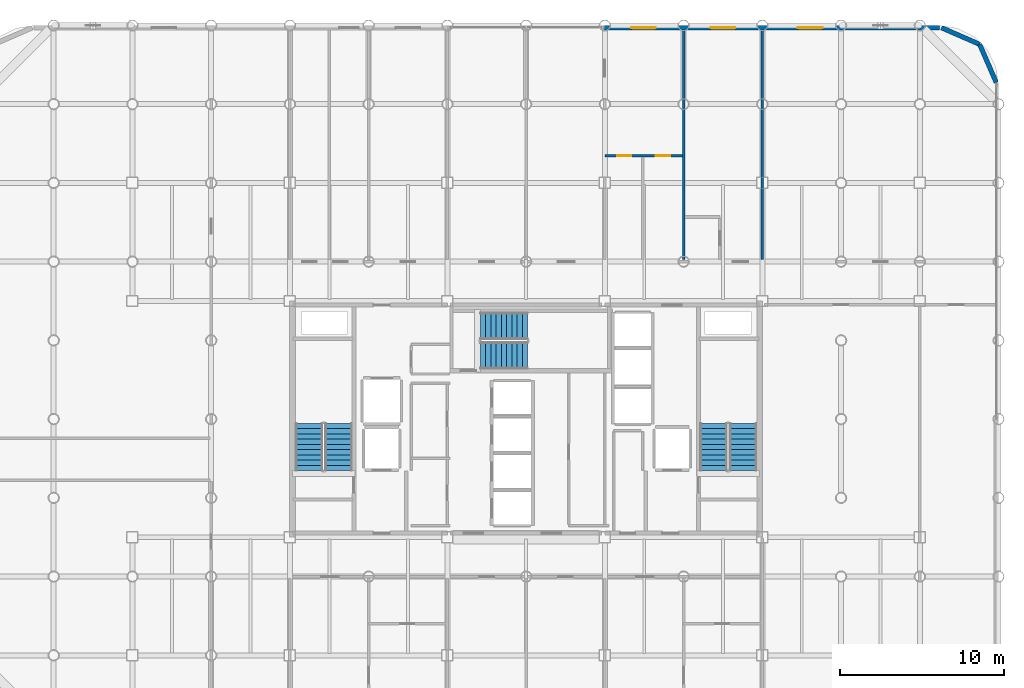
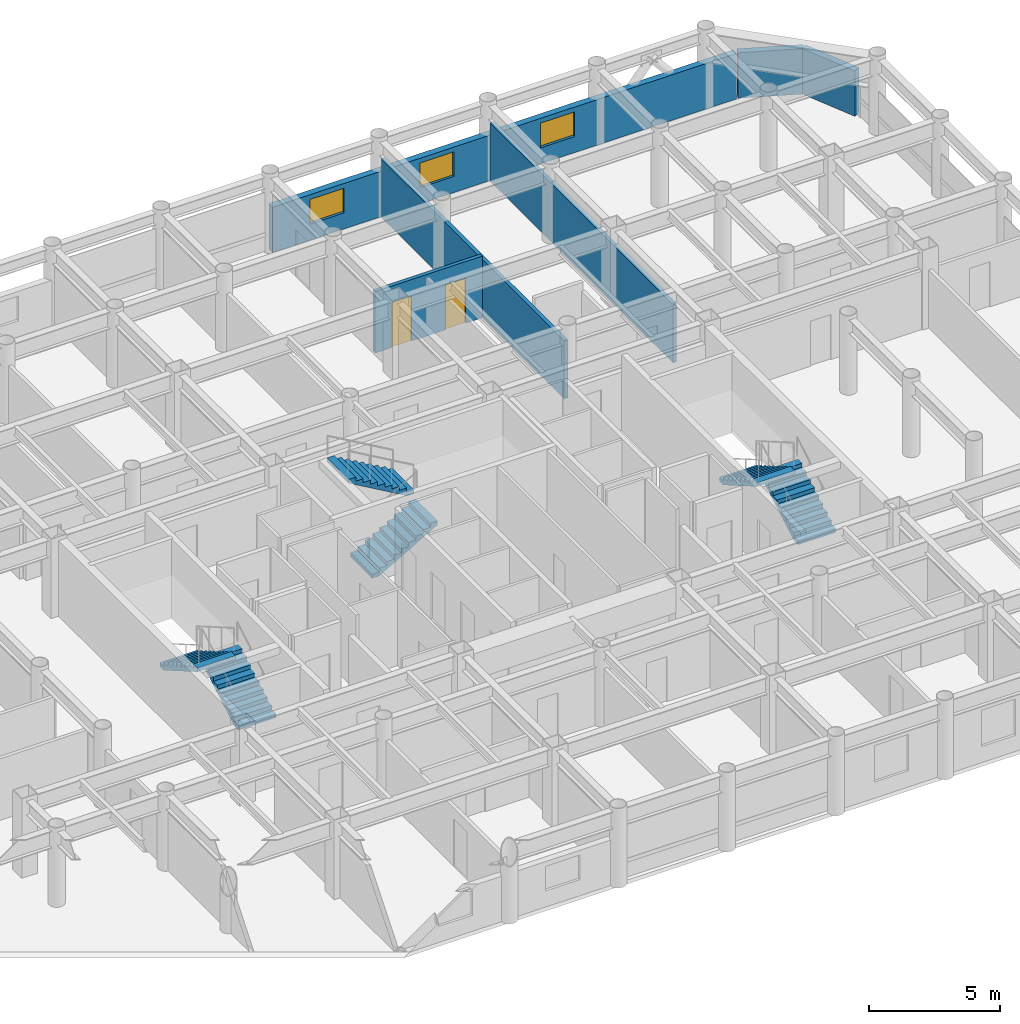
# One storey, part 19 of 20: 6 stair flights, 6 walls, 3 windows, 2 doors, 5 openings, 3 elements without a shape of their own.
"""IFC4 building model written with IfcOpenShell, lengths in metres."""

from ifc_helpers import new_model, si_unit, direction, frame, frame_2d, origin, place, context, subcontext, project, spatial, polyline, rectangle, outline, extrude, material, layer, layer_set, type_object, element, fill, aggregate, save


model = new_model("IFC4")

# Units and contexts
model_context = context("Model", 3, precision=1e-05, world=origin(), true_north=direction((0.0, 1.0)))
body_context = subcontext(model_context, "Body", "Model", "MODEL_VIEW")
ifc_project = project(units=[si_unit("LENGTHUNIT", "METRE"), si_unit("AREAUNIT", "SQUARE_METRE"), si_unit("VOLUMEUNIT", "CUBIC_METRE"), si_unit("PLANEANGLEUNIT", "RADIAN"), si_unit("MASSUNIT", "GRAM", prefix="KILO")], contexts=[model_context])

# Site, building, storey
site_placement = place(None, origin())
site = spatial("IfcSite", under=ifc_project, at=site_placement, CompositionType="ELEMENT")
building_placement = place(site_placement, origin())
building = spatial("IfcBuilding", under=site, at=building_placement, Name="Kallvorn Hotel Tower", CompositionType="ELEMENT")
storey_placement = place(building_placement, frame((0.0, 0.0, 143.300048828125)))
storey = spatial("IfcBuildingStorey", under=building, at=storey_placement, Name="L35", CompositionType="ELEMENT", Elevation=143.300048828125)

# Wall, openings, doors
ifc_material_1 = material(Name="Fire-rated double-layer acoustic gypsum drywall EI 60")
ifc_layer_1 = layer(ifc_material_1, 0.159912109375)
ifc_layer_set_1 = layer_set([ifc_layer_1], Name="WL_DEMISE_160")
wall_type_1 = type_object("IfcWallType", Name="WL_DEMISE_160", PredefinedType="PARTITIONING", material=ifc_layer_set_1)
wall_1_placement = place(storey_placement, frame((4.800048828125, 16.050048828125, 0.0), z_axis=(0.0, 0.0, 1.0), x_axis=(1.0, 0.0, 0.0)))
wall_1 = element("IfcWall", 1, at=wall_1_placement, inside=storey, type_object=wall_type_1, Name="L35 Suite 3503 Junior Bedroom Partition", PredefinedType="PARTITIONING", context=body_context, shape_type="SweptSolid", body=[
    extrude(rectangle(XDim=4.719970703125, YDim=0.159912109375, at=frame_2d((2.35986328125, 0.0))), origin(), (0.0, 0.0, 1.0), 2.869873046875),
])
opening_1_placement = place(wall_1_placement, frame((0.75, 0.0, 0.0)))
opening_1 = element("IfcOpeningElement", 2, at=opening_1_placement, cuts=wall_1, Name="Opening BD-I", PredefinedType="OPENING", context=body_context, shape_type="SweptSolid", body=[
    extrude(rectangle(XDim=0.860107421875, YDim=2.10009765625, at=frame_2d((0.43017578125, 1.050048828125))), frame((0.0, 0.094970703125, 0.0), z_axis=(0.0, -1.0, 0.0), x_axis=(1.0, 0.0, 0.0)), (0.0, 0.0, 1.0), 0.18994140625),
])
opening_2_placement = place(wall_1_placement, frame((3.090087890625, 0.0, 0.0)))
opening_2 = element("IfcOpeningElement", 3, at=opening_2_placement, cuts=wall_1, Name="Opening SVD1", PredefinedType="OPENING", context=body_context, shape_type="SweptSolid", body=[
    extrude(rectangle(XDim=0.89990234375, YDim=2.10009765625, at=frame_2d((0.449951171875, 1.050048828125))), frame((0.0, 0.094970703125, 0.0), z_axis=(0.0, -1.0, 0.0), x_axis=(1.0, 0.0, 0.0)), (0.0, 0.0, 1.0), 0.18994140625),
])
ifc_material_2 = material(Name="Solid-core walnut veneer fire-rated timber door leaf", Category="wood")
door_type_1 = type_object("IfcDoorType", Name="DR_BATH_860x2100", OperationType="NOTDEFINED", PredefinedType="DOOR", material=ifc_material_2)
door_1_placement = place(opening_1_placement, origin())
door_1 = element("IfcDoor", 4, at=door_1_placement, inside=storey, type_object=door_type_1, Name="L35 Suite 3503 En-Suite Bathroom Door", OperationType="SINGLE_SWING_LEFT", OverallHeight=2.10009765625, OverallWidth=0.860107421875, PredefinedType="DOOR", context=body_context, shape_type="SweptSolid", body=[
    extrude(rectangle(XDim=0.860107421875, YDim=2.10009765625, at=frame_2d((0.43017578125, 1.050048828125))), frame((0.0, 0.02490234375, 0.0), z_axis=(0.0, -1.0, 0.0), x_axis=(1.0, 0.0, 0.0)), (0.0, 0.0, 1.0), 0.050048828125),
])
fill(opening_1, door_1)
ifc_material_3 = material(Name="Galvanised painted steel fire-rated door assembly", Category="steel")
door_type_2 = type_object("IfcDoorType", Name="DR_SERV_900x2100", OperationType="NOTDEFINED", PredefinedType="DOOR", material=ifc_material_3)
door_2_placement = place(opening_2_placement, origin())
door_2 = element("IfcDoor", 5, at=door_2_placement, inside=storey, type_object=door_type_2, Name="L35 Suite 3503 Walk-In Dressing Closet Door", OperationType="SINGLE_SWING_RIGHT", OverallHeight=2.10009765625, OverallWidth=0.89990234375, PredefinedType="DOOR", context=body_context, shape_type="SweptSolid", body=[
    extrude(rectangle(XDim=0.89990234375, YDim=2.10009765625, at=frame_2d((0.449951171875, 1.050048828125))), frame((0.0, 0.02490234375, 0.0), z_axis=(0.0, -1.0, 0.0), x_axis=(1.0, 0.0, 0.0)), (0.0, 0.0, 1.0), 0.050048828125),
])
fill(opening_2, door_2)

# Walls
for number, where, z_axis, x_axis, name in (
    (6, (9.60009765625, 9.719970703125, 0.0), (0.0, 0.0, 1.0), (0.0, 1.0, 0.0), "L35 Suite 3504 Standard Twin Room Partition"),
    (7, (14.39990234375, 9.719970703125, 0.0), (0.0, 0.0, 1.0), (0.0, 1.0, 0.0), "L35 Suite 3504 Standard Twin Room Partition"),
):
    element("IfcWall", number, at=place(storey_placement, frame(where, z_axis=z_axis, x_axis=x_axis)), inside=storey, type_object=wall_type_1, Name=name, PredefinedType="PARTITIONING", context=body_context, shape_type="SweptSolid", body=[
        extrude(rectangle(XDim=13.989990234375, YDim=0.159912109375, at=frame_2d((6.9951171875, 0.0))), origin(), (0.0, 0.0, 1.0), 2.719970703125),
    ])
ifc_material_4 = material(Name="Precast basalt-clad insulated concrete wall C40/50", Category="masonry")
ifc_layer_2 = layer(ifc_material_4, 0.280029296875)
ifc_layer_set_2 = layer_set([ifc_layer_2], Name="WL_EXT_LOGGIA_280")
wall_type_2 = type_object("IfcWallType", Name="WL_EXT_LOGGIA_280", PredefinedType="SOLIDWALL", material=ifc_layer_set_2)
wall_2_placement = place(storey_placement, frame((28.657958984375, 20.520751953125, 0.0), z_axis=(0.0, 0.0, 1.0), x_axis=(-0.398792985289, 0.917040977756, 0.0)))
element("IfcWall", 8, at=wall_2_placement, inside=storey, type_object=wall_type_2, Name="L35 Rounded Corner Exterior Wall NE1", PredefinedType="SOLIDWALL", context=body_context, shape_type="SweptSolid", body=[
    extrude(rectangle(XDim=2.536376953125, YDim=0.280029296875, at=frame_2d((1.26806640625, 0.0))), origin(), (0.0, 0.0, 1.0), 2.119873046875),
])
wall_3_placement = place(storey_placement, frame((27.646484375, 22.8466796875, 0.0), z_axis=(0.0, 0.0, 1.0), x_axis=(-0.917060872934, 0.398747232384, 0.0)))
element("IfcWall", 9, at=wall_3_placement, inside=storey, type_object=wall_type_2, Name="L35 Rounded Corner Exterior Wall NE2", PredefinedType="SOLIDWALL", context=body_context, shape_type="SweptSolid", body=[
    extrude(rectangle(XDim=2.5361328125, YDim=0.280029296875, at=frame_2d((1.26806640625, 0.0))), origin(), (0.0, 0.0, 1.0), 2.119873046875),
])

# Wall, openings, windows
wall_4_placement = place(storey_placement, frame((4.75, 23.860107421875, 0.0), z_axis=(0.0, 0.0, 1.0), x_axis=(1.0, 0.0, 0.0)))
wall_4 = element("IfcWall", 10, at=wall_4_placement, inside=storey, type_object=wall_type_2, Name="L35 Exterior Envelope Wall EW-L35-NE", PredefinedType="SOLIDWALL", context=body_context, shape_type="SweptSolid", body=[
    extrude(rectangle(XDim=20.449951171875, YDim=0.280029296875, at=frame_2d((10.22509765625, 0.0))), origin(), (0.0, 0.0, 1.0), 2.119873046875),
])
opening_3_placement = place(wall_4_placement, frame((11.81689453125, 0.0, 0.75)))
opening_3 = element("IfcOpeningElement", 11, at=opening_3_placement, cuts=wall_4, Name="Opening W05A", PredefinedType="OPENING", context=body_context, shape_type="SweptSolid", body=[
    extrude(rectangle(XDim=1.5, YDim=1.14990234375, at=frame_2d((0.75, 0.574951171875))), frame((0.0, 0.155029296875, 0.0), z_axis=(0.0, -1.0, 0.0), x_axis=(1.0, 0.0, 0.0)), (0.0, 0.0, 1.0), 0.31005859375),
])
opening_4_placement = place(wall_4_placement, frame((1.659912109375, 0.0, 0.75)))
opening_4 = element("IfcOpeningElement", 12, at=opening_4_placement, cuts=wall_4, Name="Opening W05A", PredefinedType="OPENING", context=body_context, shape_type="SweptSolid", body=[
    extrude(rectangle(XDim=1.5, YDim=1.14990234375, at=frame_2d((0.75, 0.574951171875))), frame((0.0, 0.155029296875, 0.0), z_axis=(0.0, -1.0, 0.0), x_axis=(1.0, 0.0, 0.0)), (0.0, 0.0, 1.0), 0.31005859375),
])
opening_5_placement = place(wall_4_placement, frame((6.5, 0.0, 0.75)))
opening_5 = element("IfcOpeningElement", 13, at=opening_5_placement, cuts=wall_4, Name="Opening W05A", PredefinedType="OPENING", context=body_context, shape_type="SweptSolid", body=[
    extrude(rectangle(XDim=1.5, YDim=1.14990234375, at=frame_2d((0.75, 0.574951171875))), frame((0.0, 0.155029296875, 0.0), z_axis=(0.0, -1.0, 0.0), x_axis=(1.0, 0.0, 0.0)), (0.0, 0.0, 1.0), 0.31005859375),
])
ifc_material_5 = material(Name="Double-glazed low-e solar-control dark glass", Category="glass")
window_type = type_object("IfcWindowType", Name="WN_HTL_1500x1150", PartitioningType="SINGLE_PANEL", PredefinedType="WINDOW", material=ifc_material_5)
window_1_placement = place(opening_3_placement, origin())
window_1 = element("IfcWindow", 14, at=window_1_placement, inside=storey, type_object=window_type, Name="L35 Guestroom Exterior Window 03", OverallHeight=1.14990234375, OverallWidth=1.5, PartitioningType="SINGLE_PANEL", PredefinedType="WINDOW", context=body_context, shape_type="SweptSolid", body=[
    extrude(rectangle(XDim=1.5, YDim=1.14990234375, at=frame_2d((0.75, 0.574951171875))), frame((0.0, 0.030029296875, 0.0), z_axis=(0.0, -1.0, 0.0), x_axis=(1.0, 0.0, 0.0)), (0.0, 0.0, 1.0), 0.06005859375),
])
fill(opening_3, window_1)
window_2_placement = place(opening_4_placement, origin())
window_2 = element("IfcWindow", 15, at=window_2_placement, inside=storey, type_object=window_type, Name="L35 Guestroom Exterior Window 11", OverallHeight=1.14990234375, OverallWidth=1.5, PartitioningType="SINGLE_PANEL", PredefinedType="WINDOW", context=body_context, shape_type="SweptSolid", body=[
    extrude(rectangle(XDim=1.5, YDim=1.14990234375, at=frame_2d((0.75, 0.574951171875))), frame((0.0, 0.030029296875, 0.0), z_axis=(0.0, -1.0, 0.0), x_axis=(1.0, 0.0, 0.0)), (0.0, 0.0, 1.0), 0.06005859375),
])
fill(opening_4, window_2)
window_3_placement = place(opening_5_placement, origin())
window_3 = element("IfcWindow", 16, at=window_3_placement, inside=storey, type_object=window_type, Name="L35 Guestroom Exterior Window 12", OverallHeight=1.14990234375, OverallWidth=1.5, PartitioningType="SINGLE_PANEL", PredefinedType="WINDOW", context=body_context, shape_type="SweptSolid", body=[
    extrude(rectangle(XDim=1.5, YDim=1.14990234375, at=frame_2d((0.75, 0.574951171875))), frame((0.0, 0.030029296875, 0.0), z_axis=(0.0, -1.0, 0.0), x_axis=(1.0, 0.0, 0.0)), (0.0, 0.0, 1.0), 0.06005859375),
])
fill(opening_5, window_3)

# Stair, stair flights
ifc_material_6 = material(Name="Precast concrete C40/50", Category="concrete")
stair_type = type_object("IfcStairType", Name="STR_CORE_DOGLEG", PredefinedType="HALF_TURN_STAIR", material=ifc_material_6)
stair_1_placement = place(storey_placement, origin())
stair_1 = element("IfcStair", 17, at=stair_1_placement, inside=storey, type_object=stair_type, Name="L35 Exit stair ST1", PredefinedType="HALF_TURN_STAIR")
ifc_material_7 = material(Name="Precast concrete C40/50", Category="concrete")
stair_flight_type = type_object("IfcStairFlightType", Name="FLT_CORE_1660", PredefinedType="STRAIGHT", material=ifc_material_7)
stair_flight_1_placement = place(storey_placement, frame((-11.429931640625, -3.139892578125, 0.0), z_axis=(0.0, 0.0, 1.0), x_axis=(0.0, 1.0, 0.0)))
stair_flight_1 = element("IfcStairFlight", 18, at=stair_flight_1_placement, type_object=stair_flight_type, Name="ST1 flight 1", NumberOfRisers=10, NumberOfTreads=9, PredefinedType="STRAIGHT", RiserHeight=0.185, TreadLength=0.32, context=body_context, shape_type="SweptSolid", body=[
    extrude(outline(polyline([(0.0, 0.0), (0.0, 0.18505859375), (0.320068359375, 0.18505859375), (0.320068359375, 0.3701171875), (0.639892578125, 0.3701171875), (0.639892578125, 0.554931640625), (0.9599609375, 0.554931640625), (0.9599609375, 0.739990234375), (1.280029296875, 0.739990234375), (1.280029296875, 0.925048828125), (1.60009765625, 0.925048828125), (1.60009765625, 1.110107421875), (1.919921875, 1.110107421875), (1.919921875, 1.294921875), (2.239990234375, 1.294921875), (2.239990234375, 1.47998046875), (2.56005859375, 1.47998046875), (2.56005859375, 1.6650390625), (2.8798828125, 1.6650390625), (2.8798828125, 1.85009765625), (2.8798828125, 1.491943359375), (0.299560546875, 0.0), (0.0, 0.0)])), frame((0.0, 0.830078125, 0.0), z_axis=(0.0, -1.0, 0.0), x_axis=(1.0, 0.0, 0.0)), (0.0, 0.0, 1.0), 1.659912109375),
])
stair_flight_2_placement = place(storey_placement, frame((-13.22998046875, -0.260009765625, 1.849853515625), z_axis=(0.0, 0.0, 1.0), x_axis=(0.0, -1.0, 0.0)))
stair_flight_2 = element("IfcStairFlight", 19, at=stair_flight_2_placement, type_object=stair_flight_type, Name="ST1 flight 2", NumberOfRisers=10, NumberOfTreads=9, PredefinedType="STRAIGHT", RiserHeight=0.185, TreadLength=0.32, context=body_context, shape_type="SweptSolid", body=[
    extrude(outline(polyline([(0.0, 0.0), (0.0, 0.18505859375), (0.320068359375, 0.18505859375), (0.320068359375, 0.3701171875), (0.639892578125, 0.3701171875), (0.639892578125, 0.554931640625), (0.9599609375, 0.554931640625), (0.9599609375, 0.739990234375), (1.280029296875, 0.739990234375), (1.280029296875, 0.925048828125), (1.60009765625, 0.925048828125), (1.60009765625, 1.110107421875), (1.919921875, 1.110107421875), (1.919921875, 1.294921875), (2.239990234375, 1.294921875), (2.239990234375, 1.47998046875), (2.56005859375, 1.47998046875), (2.56005859375, 1.6650390625), (2.8798828125, 1.6650390625), (2.8798828125, 1.85009765625), (2.8798828125, 1.491943359375), (0.299560546875, 0.0), (0.0, 0.0)])), frame((0.0, 0.830078125, 0.0), z_axis=(0.0, -1.0, 0.0), x_axis=(1.0, 0.0, 0.0)), (0.0, 0.0, 1.0), 1.659912109375),
])
aggregate(stair_1, [stair_flight_1, stair_flight_2])

stair_2_placement = place(storey_placement, origin())
stair_2 = element("IfcStair", 20, at=stair_2_placement, inside=storey, type_object=stair_type, Name="L35 Exit stair ST2", PredefinedType="HALF_TURN_STAIR")
stair_flight_3_placement = place(storey_placement, frame((13.22998046875, -3.139892578125, 0.0), z_axis=(0.0, 0.0, 1.0), x_axis=(0.0, 1.0, 0.0)))
stair_flight_3 = element("IfcStairFlight", 21, at=stair_flight_3_placement, type_object=stair_flight_type, Name="ST2 flight 1", NumberOfRisers=10, NumberOfTreads=9, PredefinedType="STRAIGHT", RiserHeight=0.185, TreadLength=0.32, context=body_context, shape_type="SweptSolid", body=[
    extrude(outline(polyline([(0.0, 0.0), (0.0, 0.18505859375), (0.320068359375, 0.18505859375), (0.320068359375, 0.3701171875), (0.639892578125, 0.3701171875), (0.639892578125, 0.554931640625), (0.9599609375, 0.554931640625), (0.9599609375, 0.739990234375), (1.280029296875, 0.739990234375), (1.280029296875, 0.925048828125), (1.60009765625, 0.925048828125), (1.60009765625, 1.110107421875), (1.919921875, 1.110107421875), (1.919921875, 1.294921875), (2.239990234375, 1.294921875), (2.239990234375, 1.47998046875), (2.56005859375, 1.47998046875), (2.56005859375, 1.6650390625), (2.8798828125, 1.6650390625), (2.8798828125, 1.85009765625), (2.8798828125, 1.491943359375), (0.299560546875, 0.0), (0.0, 0.0)])), frame((0.0, 0.830078125, 0.0), z_axis=(0.0, -1.0, 0.0), x_axis=(1.0, 0.0, 0.0)), (0.0, 0.0, 1.0), 1.659912109375),
])
stair_flight_4_placement = place(storey_placement, frame((11.429931640625, -0.260009765625, 1.849853515625), z_axis=(0.0, 0.0, 1.0), x_axis=(0.0, -1.0, 0.0)))
stair_flight_4 = element("IfcStairFlight", 22, at=stair_flight_4_placement, type_object=stair_flight_type, Name="ST2 flight 2", NumberOfRisers=10, NumberOfTreads=9, PredefinedType="STRAIGHT", RiserHeight=0.185, TreadLength=0.32, context=body_context, shape_type="SweptSolid", body=[
    extrude(outline(polyline([(0.0, 0.0), (0.0, 0.18505859375), (0.320068359375, 0.18505859375), (0.320068359375, 0.3701171875), (0.639892578125, 0.3701171875), (0.639892578125, 0.554931640625), (0.9599609375, 0.554931640625), (0.9599609375, 0.739990234375), (1.280029296875, 0.739990234375), (1.280029296875, 0.925048828125), (1.60009765625, 0.925048828125), (1.60009765625, 1.110107421875), (1.919921875, 1.110107421875), (1.919921875, 1.294921875), (2.239990234375, 1.294921875), (2.239990234375, 1.47998046875), (2.56005859375, 1.47998046875), (2.56005859375, 1.6650390625), (2.8798828125, 1.6650390625), (2.8798828125, 1.85009765625), (2.8798828125, 1.491943359375), (0.299560546875, 0.0), (0.0, 0.0)])), frame((0.0, 0.830078125, 0.0), z_axis=(0.0, -1.0, 0.0), x_axis=(1.0, 0.0, 0.0)), (0.0, 0.0, 1.0), 1.659912109375),
])
aggregate(stair_2, [stair_flight_3, stair_flight_4])

stair_3_placement = place(storey_placement, origin())
stair_3 = element("IfcStair", 23, at=stair_3_placement, inside=storey, type_object=stair_type, Name="L35 Exit stair ST3", PredefinedType="HALF_TURN_STAIR")
stair_flight_5_placement = place(storey_placement, frame((-2.7900390625, 3.8798828125, 0.0), z_axis=(0.0, 0.0, 1.0), x_axis=(1.0, 0.0, 0.0)))
stair_flight_5 = element("IfcStairFlight", 24, at=stair_flight_5_placement, type_object=stair_flight_type, Name="ST3 flight 1", NumberOfRisers=10, NumberOfTreads=9, PredefinedType="STRAIGHT", RiserHeight=0.185, TreadLength=0.32, context=body_context, shape_type="SweptSolid", body=[
    extrude(outline(polyline([(0.0, 0.0), (0.0, 0.18505859375), (0.320068359375, 0.18505859375), (0.320068359375, 0.3701171875), (0.639892578125, 0.3701171875), (0.639892578125, 0.554931640625), (0.9599609375, 0.554931640625), (0.9599609375, 0.739990234375), (1.280029296875, 0.739990234375), (1.280029296875, 0.925048828125), (1.60009765625, 0.925048828125), (1.60009765625, 1.110107421875), (1.919921875, 1.110107421875), (1.919921875, 1.294921875), (2.239990234375, 1.294921875), (2.239990234375, 1.47998046875), (2.56005859375, 1.47998046875), (2.56005859375, 1.6650390625), (2.8798828125, 1.6650390625), (2.8798828125, 1.85009765625), (2.8798828125, 1.491943359375), (0.299560546875, 0.0), (0.0, 0.0)])), frame((0.0, 0.830078125, 0.0), z_axis=(0.0, -1.0, 0.0), x_axis=(1.0, 0.0, 0.0)), (0.0, 0.0, 1.0), 1.659912109375),
])
stair_flight_6_placement = place(storey_placement, frame((0.090087890625, 5.679931640625, 1.849853515625), z_axis=(0.0, 0.0, 1.0), x_axis=(-1.0, 0.0, 0.0)))
stair_flight_6 = element("IfcStairFlight", 25, at=stair_flight_6_placement, type_object=stair_flight_type, Name="ST3 flight 2", NumberOfRisers=10, NumberOfTreads=9, PredefinedType="STRAIGHT", RiserHeight=0.185, TreadLength=0.32, context=body_context, shape_type="SweptSolid", body=[
    extrude(outline(polyline([(0.0, 0.0), (0.0, 0.18505859375), (0.320068359375, 0.18505859375), (0.320068359375, 0.3701171875), (0.639892578125, 0.3701171875), (0.639892578125, 0.554931640625), (0.9599609375, 0.554931640625), (0.9599609375, 0.739990234375), (1.280029296875, 0.739990234375), (1.280029296875, 0.925048828125), (1.60009765625, 0.925048828125), (1.60009765625, 1.110107421875), (1.919921875, 1.110107421875), (1.919921875, 1.294921875), (2.239990234375, 1.294921875), (2.239990234375, 1.47998046875), (2.56005859375, 1.47998046875), (2.56005859375, 1.6650390625), (2.8798828125, 1.6650390625), (2.8798828125, 1.85009765625), (2.8798828125, 1.491943359375), (0.299560546875, 0.0), (0.0, 0.0)])), frame((0.0, 0.830078125, 0.0), z_axis=(0.0, -1.0, 0.0), x_axis=(1.0, 0.0, 0.0)), (0.0, 0.0, 1.0), 1.659912109375),
])
aggregate(stair_3, [stair_flight_5, stair_flight_6])

save(model, "model.ifc")
